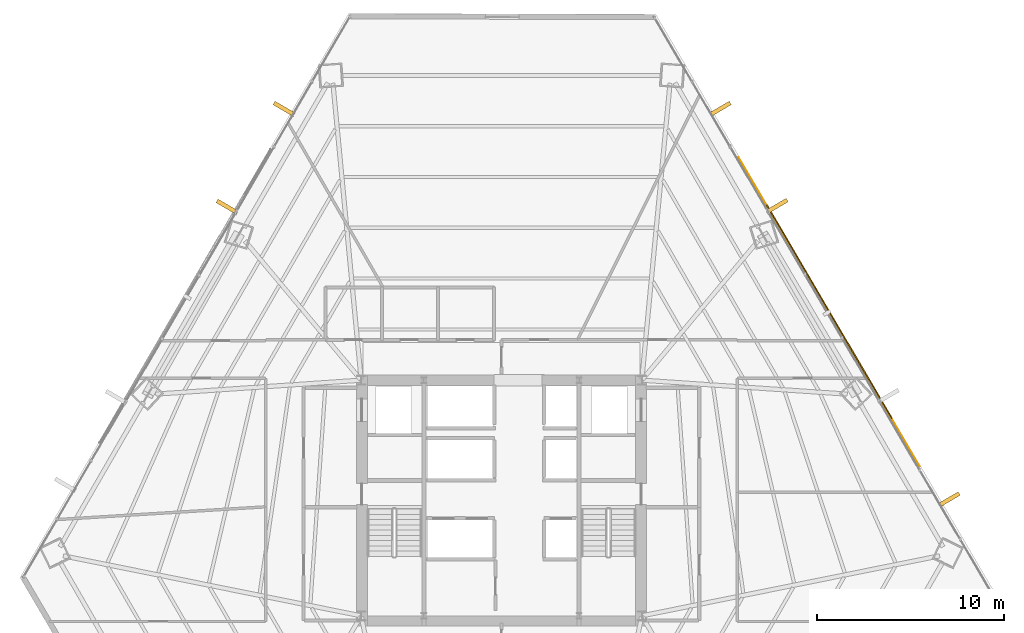
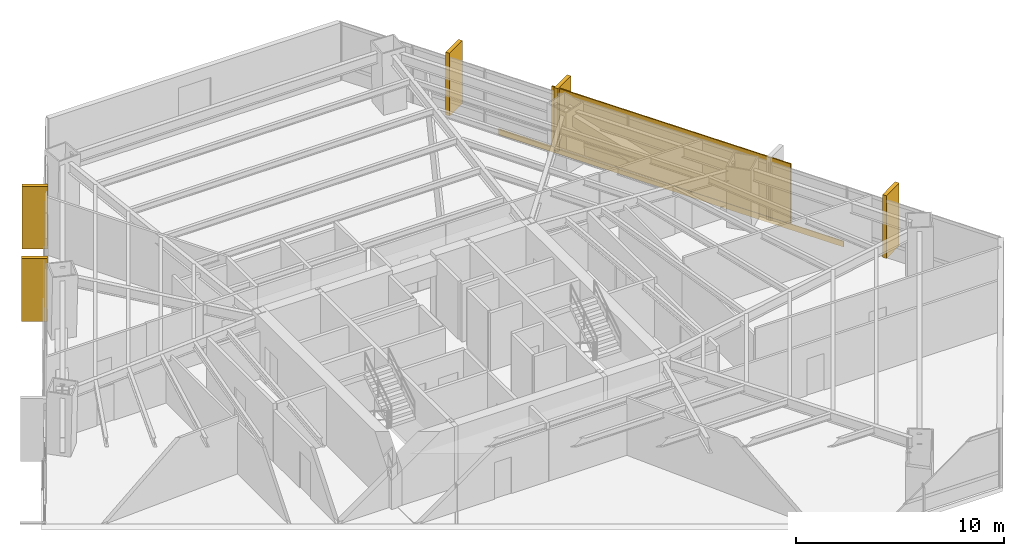
# One storey, part 33 of 33: 6 coverings, 1 shading device.
"""IFC4 building model written with IfcOpenShell, lengths in metres."""

import ifcopenshell
import ifcopenshell.guid

model = None  # the IFC model being written
_history = None  # IfcOwnerHistory: only IFC2X3 demands one
_inside = {}  # id of a spatial element -> (the spatial element, [elements in it])
_under = {}  # id of a project, library or spatial element -> (it, [spatial elements below it])
_declared = {}  # id of a project -> (the project, [libraries it declares])
_typed = {}  # id of a type object -> (the type object, [elements of that type])
_made_of = {}  # id of a material, layer set ... -> (it, [elements and type objects made of it])


def new_model(schema):
    """Start an empty IFC model of exactly this schema.

    Asked for "IFC4X3", IfcOpenShell would pick the latest addendum, in which some entities
    have other attributes; the version numbers below select the first issue.
    IFC2X3 requires an IfcOwnerHistory on every rooted entity: one is made here for all.
    """
    global model, _history
    if schema == "IFC4X3":
        model = ifcopenshell.file(schema_version=(4, 3, 0, 0))
    else:
        model = ifcopenshell.file(schema=schema)
    _inside.clear()
    _under.clear()
    _declared.clear()
    _typed.clear()
    _made_of.clear()
    _history = None
    if model.schema == "IFC2X3":
        org = make("IfcOrganization", Name="unknown")
        user = make(
            "IfcPersonAndOrganization",
            ThePerson=make("IfcPerson", FamilyName="unknown"),
            TheOrganization=org,
        )
        app = make(
            "IfcApplication",
            ApplicationDeveloper=org,
            Version="unknown",
            ApplicationFullName="unknown",
            ApplicationIdentifier="unknown",
        )
        _history = make(
            "IfcOwnerHistory",
            OwningUser=user,
            OwningApplication=app,
            ChangeAction="ADDED",
            CreationDate=0,
        )
    return model


def make(cls, **values):
    """One entity of the class cls with the attributes given. An attribute that is None is left unset."""
    return model.create_entity(
        cls, **{name: value for name, value in values.items() if value is not None}
    )


def rooted(cls, **values):
    """An entity with a GlobalId (a new one), such as an element, a storey or a relation."""
    return make(cls, GlobalId=ifcopenshell.guid.new(), OwnerHistory=_history, **values)


def si_unit(unit_type, name, prefix=None):
    """IfcSIUnit, for example si_unit("LENGTHUNIT", "METRE", prefix="MILLI")."""
    return make("IfcSIUnit", UnitType=unit_type, Prefix=prefix, Name=name)


def assignment(units):
    """IfcUnitAssignment: the units of a project."""
    return None if units is None else make("IfcUnitAssignment", Units=units)


def point(xyz):
    """IfcCartesianPoint."""
    return None if xyz is None else make("IfcCartesianPoint", Coordinates=xyz)


def direction(xyz):
    """IfcDirection."""
    return None if xyz is None else make("IfcDirection", DirectionRatios=xyz)


def frame(location, z_axis=None, x_axis=None):
    """IfcAxis2Placement3D, a coordinate frame: its origin and axes. An axis left out is left unset."""
    return make(
        "IfcAxis2Placement3D",
        Location=point(location),
        Axis=direction(z_axis),
        RefDirection=direction(x_axis),
    )


def frame_2d(location, x_axis=None):
    """IfcAxis2Placement2D, a coordinate frame in the plane: its origin and x axis."""
    return make(
        "IfcAxis2Placement2D", Location=point(location), RefDirection=direction(x_axis)
    )


def origin():
    """The frame at (0, 0, 0) with its axes left unset."""
    return frame((0.0, 0.0, 0.0))


def origin_2d():
    """The frame at (0, 0) in the plane with its x axis left unset."""
    return frame_2d((0.0, 0.0))


def place(relative_to, where):
    """IfcLocalPlacement: puts the frame where relative to a parent placement (None: the world)."""
    return make(
        "IfcLocalPlacement", PlacementRelTo=relative_to, RelativePlacement=where
    )


def context(
    kind, dimensions, precision=None, world=None, true_north=None, identifier=None
):
    """IfcGeometricRepresentationContext, for example the 3D "Model" context."""
    return make(
        "IfcGeometricRepresentationContext",
        ContextIdentifier=identifier,
        ContextType=kind,
        CoordinateSpaceDimension=dimensions,
        Precision=precision,
        WorldCoordinateSystem=world,
        TrueNorth=true_north,
    )


def subcontext(parent, identifier, kind, view, scale=None):
    """IfcGeometricRepresentationSubContext, for example "Body" below "Model"."""
    return make(
        "IfcGeometricRepresentationSubContext",
        ContextIdentifier=identifier,
        ContextType=kind,
        ParentContext=parent,
        TargetScale=scale,
        TargetView=view,
    )


def project(units=None, contexts=None):
    """IfcProject with its units and contexts."""
    return rooted(
        "IfcProject",
        Name="project",
        RepresentationContexts=contexts,
        UnitsInContext=assignment(units),
    )


def spatial(cls, under=None, at=None, **own):
    """A site, building, storey or space (cls), placed at a placement, below another one or the project."""
    s = rooted(cls, ObjectPlacement=at, **own)
    if under is not None:
        _under.setdefault(under.id(), (under, []))[1].append(s)
    return s


def profile(cls, at=None, kind="AREA", **sizes):
    """A parametric profile (cls). Its sizes go by their IFC names, for example OverallWidth=200.0."""
    return make(cls, ProfileType=kind, Position=at, **sizes)


def rectangle(**sizes):
    """IfcRectangleProfileDef."""
    return profile("IfcRectangleProfileDef", **sizes)


def extrude(swept, where, along, depth):
    """IfcExtrudedAreaSolid: the profile swept, set in the frame where, extruded along a direction by depth."""
    return make(
        "IfcExtrudedAreaSolid",
        SweptArea=swept,
        Position=where,
        ExtrudedDirection=direction(along),
        Depth=depth,
    )


def shape(context_of_items, identifier, shape_type, items):
    """IfcShapeRepresentation: the items that make up one representation, for example the "Body"."""
    return make(
        "IfcShapeRepresentation",
        ContextOfItems=context_of_items,
        RepresentationIdentifier=identifier,
        RepresentationType=shape_type,
        Items=items,
    )


def source(mapping_origin, context_of_items, identifier, shape_type, items):
    """IfcRepresentationMap: a shape defined once, which mapped items show again and again."""
    return make(
        "IfcRepresentationMap",
        MappingOrigin=mapping_origin,
        MappedRepresentation=shape(context_of_items, identifier, shape_type, items),
    )


def transform(
    local_origin,
    x_axis=None,
    y_axis=None,
    z_axis=None,
    scale=None,
    scale2=None,
    scale3=None,
    uniform=True,
):
    """IfcCartesianTransformationOperator3D, or its non-uniform kind. x_axis, y_axis, z_axis: its Axis1, 2, 3."""
    if uniform:
        return make(
            "IfcCartesianTransformationOperator3D",
            Axis1=direction(x_axis),
            Axis2=direction(y_axis),
            LocalOrigin=point(local_origin),
            Scale=scale,
            Axis3=direction(z_axis),
        )
    return make(
        "IfcCartesianTransformationOperator3DnonUniform",
        Axis1=direction(x_axis),
        Axis2=direction(y_axis),
        LocalOrigin=point(local_origin),
        Scale=scale,
        Axis3=direction(z_axis),
        Scale2=scale2,
        Scale3=scale3,
    )


def mapped(mapping_source, mapping_target):
    """IfcMappedItem: shows the shape of a source again, moved by a transform."""
    return make(
        "IfcMappedItem", MappingSource=mapping_source, MappingTarget=mapping_target
    )


def material(Name=None, Category=None):
    """IfcMaterial."""
    return make("IfcMaterial", Name=Name, Category=Category)


def layer(
    of_material, thickness, ventilated=None, Name=None, Category=None, Priority=None
):
    """IfcMaterialLayer: one layer of a wall or slab, of a material (None: an air gap)."""
    return make(
        "IfcMaterialLayer",
        Material=of_material,
        LayerThickness=thickness,
        IsVentilated=ventilated,
        Name=Name,
        Category=Category,
        Priority=Priority,
    )


def layer_set(layers, Name=None):
    """IfcMaterialLayerSet."""
    return make("IfcMaterialLayerSet", MaterialLayers=layers, LayerSetName=Name)


def made_of(thing, what):
    """Note that an element or type object is made of a material, layer set ...; save() writes the relation."""
    if what is not None:
        _made_of.setdefault(what.id(), (what, []))[1].append(thing)
    return thing


def type_object(cls, material=None, **own):
    """A type object (cls), such as IfcWallType, which elements share."""
    return made_of(rooted(cls, **own), material)


def type_shapes(of_type, sources):
    """Give a type object the sources (RepresentationMaps) that its elements show as mapped items."""
    of_type.RepresentationMaps = sources


def element(
    cls,
    number,
    at=None,
    inside=None,
    cuts=None,
    type_object=None,
    material=None,
    context=None,
    identifier="Body",
    shape_type=None,
    held_by="IfcProductDefinitionShape",
    body=None,
    shapes=None,
    **own,
):
    """One element of the class cls, such as IfcWall. Its Tag is "e" and its number.

    at: its placement. inside: the storey or other place that contains it. cuts: it is an
    opening in that element (IfcRelVoidsElement). A single representation is given by context,
    identifier, shape_type and body (its items); several are given by shapes. held_by: the class
    of the entity that holds the representations. save() writes the other relations.
    """
    e = rooted(cls, Tag="e%d" % number, ObjectPlacement=at, **own)
    if body is not None:
        shapes = [shape(context, identifier, shape_type, body)]
    if shapes is not None:
        e.Representation = make(held_by, Representations=shapes)
    if inside is not None:
        _inside.setdefault(inside.id(), (inside, []))[1].append(e)
    if cuts is not None:
        rooted(
            "IfcRelVoidsElement", RelatingBuildingElement=cuts, RelatedOpeningElement=e
        )
    if type_object is not None:
        _typed.setdefault(type_object.id(), (type_object, []))[1].append(e)
    return made_of(e, material)


def aggregate(whole, parts):
    """IfcRelAggregates: a whole, such as a stair, and the parts it consists of."""
    return rooted("IfcRelAggregates", RelatingObject=whole, RelatedObjects=parts)


def save(model, path):
    """Write the relations noted so far, then the file.

    IfcRelAggregates (storeys below a building ...), IfcRelContainedInSpatialStructure (elements
    in a storey), IfcRelDefinesByType, IfcRelAssociatesMaterial and IfcRelDeclares: one each for
    every whole, place, type object, material and project.
    """
    for whole, parts in _under.values():
        aggregate(whole, parts)
    for where, things in _inside.values():
        rooted(
            "IfcRelContainedInSpatialStructure",
            RelatedElements=things,
            RelatingStructure=where,
        )
    for kind, things in _typed.values():
        rooted("IfcRelDefinesByType", RelatedObjects=things, RelatingType=kind)
    for what, things in _made_of.values():
        rooted("IfcRelAssociatesMaterial", RelatedObjects=things, RelatingMaterial=what)
    for by, libraries in _declared.values():
        rooted("IfcRelDeclares", RelatingContext=by, RelatedDefinitions=libraries)
    model.write(path)


model = new_model("IFC4")

# Units and contexts
model_context = context("Model", 3, precision=1e-05, world=origin(), true_north=direction((0.0, 1.0)))
body_context = subcontext(model_context, "Body", "Model", "MODEL_VIEW")
ifc_project = project(units=[si_unit("LENGTHUNIT", "METRE"), si_unit("AREAUNIT", "SQUARE_METRE"), si_unit("VOLUMEUNIT", "CUBIC_METRE"), si_unit("PLANEANGLEUNIT", "RADIAN"), si_unit("MASSUNIT", "GRAM", prefix="KILO")], contexts=[model_context])

# Site, building, storey
site_placement = place(None, origin())
site = spatial("IfcSite", under=ifc_project, at=site_placement, CompositionType="ELEMENT")
building_placement = place(site_placement, origin())
building = spatial("IfcBuilding", under=site, at=building_placement, Name="Caelisora Broadcast Tower", CompositionType="ELEMENT")
storey_placement = place(building_placement, frame((0.0, 0.0, 34.89990234375)))
storey = spatial("IfcBuildingStorey", under=building, at=storey_placement, Name="L08", CompositionType="ELEMENT", Elevation=34.89990234375)

# Coverings
ifc_material_1 = material(Name="Kiln-Fired Terracotta Spandrel Rainscreen Cladding", Category="ceramic")
ifc_layer_1 = layer(ifc_material_1, 0.044921875, Name="Kiln-Fired Terracotta Spandrel Rainscreen Cladding")
ifc_layer_set_1 = layer_set([ifc_layer_1], Name="Kiln-Fired Terracotta Spandrel Rainscreen Cladding")
covering_type = type_object("IfcCoveringType", Name="CL-1", PredefinedType="CLADDING", material=ifc_layer_set_1)
shared_shape_1 = source(origin(), body_context, "Body", "SweptSolid", [
    extrude(rectangle(XDim=0.219970703125, YDim=1.25, at=origin_2d()), origin(), (0.0, 0.0, 1.0), 3.68994140625),
])
for number, where, z_axis, x_axis, name in (
    (1, (49.69091796875, 44.50146484375, -0.019775390625), (0.0, 0.0, 1.0), (0.505582083675, -0.862778509623, 0.0), "L08 vertical solar fin cladding #1-1"),
    (2, (52.732421875, 39.311767578125, -0.019775390625), (0.0, 0.0, 1.0), (0.505582083675, -0.862778509623, 0.0), "L08 vertical solar fin cladding #1-2"),
    (3, (61.927734375, 23.623046875, -0.019775390625), (0.0, 0.0, 1.0), (0.505582083675, -0.862778509623, 0.0), "L08 vertical solar fin cladding #1-4"),
    (4, (23.33349609375, 39.26904296875, -0.019775390625), (0.0, 0.0, 1.0), (0.503321604797, 0.864099162217, 0.0), "L08 vertical solar fin cladding #3-3"),
    (5, (26.38134765625, 44.501953125, -0.019775390625), (0.0, 0.0, 1.0), (0.503321604797, 0.864099162217, 0.0), "L08 vertical solar fin cladding #3-4"),
):
    element("IfcCovering", number, at=place(storey_placement, frame(where, z_axis=z_axis, x_axis=x_axis)), inside=storey, type_object=covering_type, Name=name, PredefinedType="CLADDING", context=body_context, shape_type="MappedRepresentation", body=[
        mapped(shared_shape_1, transform((0.0, 0.0, 0.0), scale=1.0)),
    ])

# Shading device
ifc_material_2 = material(Name="Perforated Glazed Terracotta Baguette Solar Screen", Category="ceramic")
ifc_layer_2 = layer(ifc_material_2, 0.06494140625, Name="Perforated Glazed Terracotta Baguette Solar Screen")
ifc_layer_set_2 = layer_set([ifc_layer_2], Name="Perforated Glazed Terracotta Baguette Solar Screen")
shading_device_type = type_object("IfcShadingDeviceType", Name="SS-1", PredefinedType="USERDEFINED", material=ifc_layer_set_2)
shared_shape_2 = source(origin(), body_context, "Body", "SweptSolid", [
    extrude(rectangle(XDim=13.2490234375, YDim=0.06494140625, at=origin_2d()), origin(), (0.0, 0.0, 1.0), 3.590087890625),
])
type_shapes(shading_device_type, [shared_shape_2])
shading_device_placement = place(storey_placement, frame((55.5224609375, 33.661865234375, 0.0), z_axis=(0.0, 0.0, 1.0), x_axis=(-0.505582083675, 0.862778509623, 0.0)))
element("IfcShadingDevice", 6, at=shading_device_placement, inside=storey, type_object=shading_device_type, Name="L08 perforated terracotta solar screen #3", ObjectType="SOLAR SCREEN", PredefinedType="USERDEFINED", context=body_context, shape_type="MappedRepresentation", body=[
    mapped(shared_shape_2, transform((0.0, 0.0, 0.0), scale=1.0)),
])

# Covering
shared_shape_3 = source(origin(), body_context, "Body", "SweptSolid", [
    extrude(rectangle(XDim=19.137939453125, YDim=0.044921875, at=origin_2d()), origin(), (0.0, 0.0, 1.0), 0.340087890625),
])
type_shapes(covering_type, [shared_shape_1, shared_shape_3])
covering_placement = place(storey_placement, frame((55.505126953125, 33.651611328125, -0.27001953125), z_axis=(0.0, 0.0, 1.0), x_axis=(-0.505582083675, 0.862778509623, 0.0)))
element("IfcCovering", 7, at=covering_placement, inside=storey, type_object=covering_type, Name="L08 terracotta spandrel rainscreen #3", PredefinedType="CLADDING", context=body_context, shape_type="MappedRepresentation", body=[
    mapped(shared_shape_3, transform((0.0, 0.0, 0.0), scale=1.0)),
])

save(model, "model.ifc")
